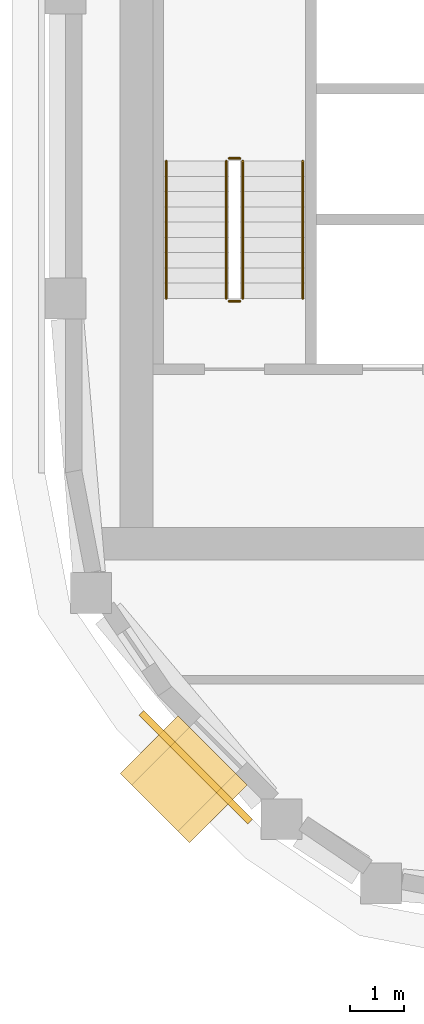
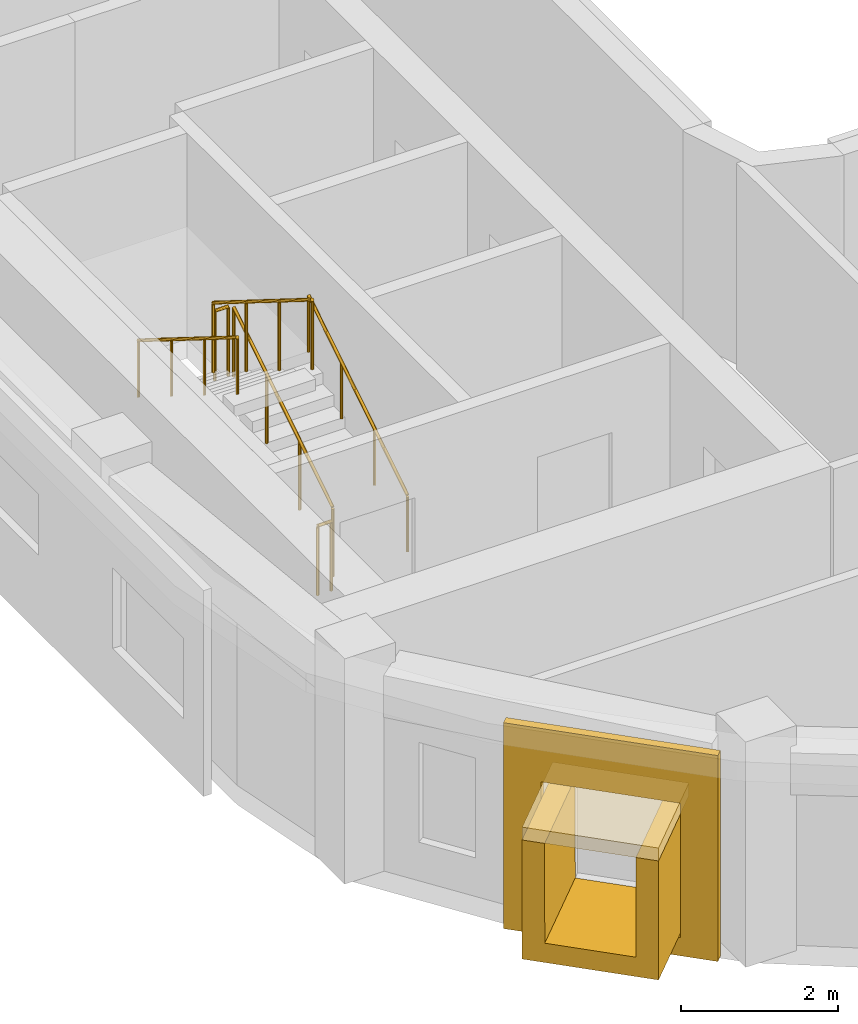
# One storey, part 10 of 16: 6 railings, 3 coverings.
"""IFC4 building model written with IfcOpenShell, lengths in metres."""

from ifc_helpers import new_model, si_unit, direction, frame, origin, origin_2d, place, context, subcontext, project, spatial, polyline, rectangle, circle, outline, extrude, material, layer, layer_set, type_object, element, save


model = new_model("IFC4")

# Units and contexts
model_context = context("Model", 3, precision=1e-05, world=origin(), true_north=direction((0.0, 1.0)))
body_context = subcontext(model_context, "Body", "Model", "MODEL_VIEW")
ifc_project = project(units=[si_unit("LENGTHUNIT", "METRE"), si_unit("AREAUNIT", "SQUARE_METRE"), si_unit("VOLUMEUNIT", "CUBIC_METRE"), si_unit("PLANEANGLEUNIT", "RADIAN"), si_unit("MASSUNIT", "GRAM", prefix="KILO")], contexts=[model_context])

# Site, building, storey
site_placement = place(None, origin())
site = spatial("IfcSite", under=ifc_project, at=site_placement, CompositionType="ELEMENT")
building_placement = place(site_placement, origin())
building = spatial("IfcBuilding", under=site, at=building_placement, Name="Kiln Ring Residences", CompositionType="ELEMENT")
storey_placement = place(building_placement, frame((0.0, 0.0, 273.199951171875)))
storey = spatial("IfcBuildingStorey", under=building, at=storey_placement, Name="L71", CompositionType="ELEMENT", Elevation=273.199951171875)

# Railings
ifc_material_1 = material(Name="Stainless steel", Category="steel")
railing_type_1 = type_object("IfcRailingType", Name="CORE-STAIR-GUARD", PredefinedType="GUARDRAIL", material=ifc_material_1)
railing_1_placement = place(storey_placement, frame((-21.949951171875, -8.39990234375, 0.175048828125)))
element("IfcRailing", 1, at=railing_1_placement, inside=storey, type_object=railing_type_1, Name="L71 W-STS stair guard 1", PredefinedType="GUARDRAIL", context=body_context, shape_type="SweptSolid", body=[
    extrude(circle(Radius=0.02392578125, at=origin_2d()), frame((0.0, 0.0, 1.076171875), z_axis=(0.0, 0.848007534815, 0.529984170421), x_axis=(-1.0, 0.0, 0.0)), (0.0, 0.0, 1.0), 2.9716796875),
    extrude(circle(Radius=0.02099609375, at=origin_2d()), origin(), (0.0, 0.0, 1.0), 1.052001953125),
    extrude(circle(Radius=0.02099609375, at=origin_2d()), frame((0.0, 0.840087890625, 0.52490234375)), (0.0, 0.0, 1.0), 1.052001953125),
    extrude(circle(Radius=0.02099609375, at=origin_2d()), frame((0.0, 1.679931640625, 1.050048828125)), (0.0, 0.0, 1.0), 1.052001953125),
    extrude(circle(Radius=0.02099609375, at=origin_2d()), frame((0.0, 2.52001953125, 1.574951171875)), (0.0, 0.0, 1.0), 1.052001953125),
])
railing_2_placement = place(storey_placement, frame((-22.0, -5.830078125, 1.75)))
element("IfcRailing", 2, at=railing_2_placement, inside=storey, type_object=railing_type_1, Name="L71 W-STS stair guard 2", PredefinedType="GUARDRAIL", context=body_context, shape_type="SweptSolid", body=[
    extrude(circle(Radius=0.02392578125, at=origin_2d()), frame((0.0, 0.0, 1.076171875), z_axis=(-1.0, 0.0, 0.0), x_axis=(0.0, -1.0, 0.0)), (0.0, 0.0, 1.0), 0.199951171875),
    extrude(circle(Radius=0.02099609375, at=origin_2d()), origin(), (0.0, 0.0, 1.0), 1.052001953125),
    extrude(circle(Radius=0.02099609375, at=origin_2d()), frame((-0.199951171875, 0.0, 0.0)), (0.0, 0.0, 1.0), 1.052001953125),
])
railing_3_placement = place(storey_placement, frame((-22.25, -5.8798828125, 1.925048828125)))
element("IfcRailing", 3, at=railing_3_placement, inside=storey, type_object=railing_type_1, Name="L71 W-STS stair guard 3", PredefinedType="GUARDRAIL", context=body_context, shape_type="SweptSolid", body=[
    extrude(circle(Radius=0.02392578125, at=origin_2d()), frame((0.0, 0.0, 1.076171875), z_axis=(0.0, -0.848007534815, 0.529984170421), x_axis=(1.0, 0.0, 0.0)), (0.0, 0.0, 1.0), 2.9716796875),
    extrude(circle(Radius=0.02099609375, at=origin_2d()), origin(), (0.0, 0.0, 1.0), 1.052001953125),
    extrude(circle(Radius=0.02099609375, at=origin_2d()), frame((0.0, -0.840087890625, 0.52490234375)), (0.0, 0.0, 1.0), 1.052001953125),
    extrude(circle(Radius=0.02099609375, at=origin_2d()), frame((0.0, -1.679931640625, 1.050048828125)), (0.0, 0.0, 1.0), 1.052001953125),
    extrude(circle(Radius=0.02099609375, at=origin_2d()), frame((0.0, -2.52001953125, 1.574951171875)), (0.0, 0.0, 1.0), 1.052001953125),
])
railing_4_placement = place(storey_placement, frame((-22.0, -8.449951171875, 0.0)))
element("IfcRailing", 4, at=railing_4_placement, inside=storey, type_object=railing_type_1, Name="L71 W-STS stair guard 4", PredefinedType="GUARDRAIL", context=body_context, shape_type="SweptSolid", body=[
    extrude(circle(Radius=0.02392578125, at=origin_2d()), frame((0.0, 0.0, 1.076171875), z_axis=(-1.0, 0.0, 0.0), x_axis=(0.0, -1.0, 0.0)), (0.0, 0.0, 1.0), 0.199951171875),
    extrude(circle(Radius=0.02099609375, at=origin_2d()), origin(), (0.0, 0.0, 1.0), 1.052001953125),
    extrude(circle(Radius=0.02099609375, at=origin_2d()), frame((-0.199951171875, 0.0, 0.0)), (0.0, 0.0, 1.0), 1.052001953125),
])
ifc_material_2 = material(Name="Stainless steel", Category="steel")
railing_type_2 = type_object("IfcRailingType", Name="CORE-STAIR-HANDRAIL", PredefinedType="HANDRAIL", material=ifc_material_2)
railing_5_placement = place(storey_placement, frame((-20.85009765625, -8.39990234375, 0.175048828125)))
element("IfcRailing", 5, at=railing_5_placement, inside=storey, type_object=railing_type_2, Name="L71 W-STS stair handrail 1", PredefinedType="HANDRAIL", context=body_context, shape_type="SweptSolid", body=[
    extrude(circle(Radius=0.02392578125, at=origin_2d()), frame((0.0, 0.0, 0.8759765625), z_axis=(0.0, 0.848007534815, 0.529984170421), x_axis=(-1.0, 0.0, 0.0)), (0.0, 0.0, 1.0), 2.9716796875),
    extrude(circle(Radius=0.02099609375, at=origin_2d()), origin(), (0.0, 0.0, 1.0), 0.851806640625),
    extrude(circle(Radius=0.02099609375, at=origin_2d()), frame((0.0, 0.840087890625, 0.52490234375)), (0.0, 0.0, 1.0), 0.851806640625),
    extrude(circle(Radius=0.02099609375, at=origin_2d()), frame((0.0, 1.679931640625, 1.050048828125)), (0.0, 0.0, 1.0), 0.851806640625),
    extrude(circle(Radius=0.02099609375, at=origin_2d()), frame((0.0, 2.52001953125, 1.574951171875)), (0.0, 0.0, 1.0), 0.851806640625),
])
railing_6_placement = place(storey_placement, frame((-23.35009765625, -5.8798828125, 1.925048828125)))
element("IfcRailing", 6, at=railing_6_placement, inside=storey, type_object=railing_type_2, Name="L71 W-STS stair handrail 2", PredefinedType="HANDRAIL", context=body_context, shape_type="SweptSolid", body=[
    extrude(circle(Radius=0.02392578125, at=origin_2d()), frame((0.0, 0.0, 0.8759765625), z_axis=(0.0, -0.848007534815, 0.529984170421), x_axis=(1.0, 0.0, 0.0)), (0.0, 0.0, 1.0), 2.9716796875),
    extrude(circle(Radius=0.02099609375, at=origin_2d()), origin(), (0.0, 0.0, 1.0), 0.851806640625),
    extrude(circle(Radius=0.02099609375, at=origin_2d()), frame((0.0, -0.840087890625, 0.52490234375)), (0.0, 0.0, 1.0), 0.851806640625),
    extrude(circle(Radius=0.02099609375, at=origin_2d()), frame((0.0, -1.679931640625, 1.050048828125)), (0.0, 0.0, 1.0), 0.851806640625),
    extrude(circle(Radius=0.02099609375, at=origin_2d()), frame((0.0, -2.52001953125, 1.574951171875)), (0.0, 0.0, 1.0), 0.851806640625),
])

# Coverings
ifc_material_3 = material(Name="Brick masonry, dark clay brick", Category="masonry")
ifc_layer_1 = layer(ifc_material_3, 0.300048828125)
ifc_layer_set_1 = layer_set([ifc_layer_1], Name="FRAME CHEEKS AND SILL 1500")
covering_type_1 = type_object("IfcCoveringType", Name="FRAME CHEEKS AND SILL 1500", PredefinedType="CLADDING", material=ifc_layer_set_1)
covering_1_placement = place(storey_placement, frame((-23.6708984375, -16.58984375, 0.300048828125), z_axis=(0.0, 0.0, 1.0), x_axis=(0.707106781187, -0.707106781187, 0.0)))
element("IfcCovering", 7, at=covering_1_placement, inside=storey, type_object=covering_type_1, Name="FRAME L71", PredefinedType="CLADDING", context=body_context, shape_type="SweptSolid", body=[
    extrude(outline(polyline([(0.0, 0.0), (1.7998046875, 0.0), (1.800048828125, 1.85009765625), (1.5009765625, 1.85009765625), (1.5, 0.300048828125), (0.300048828125, 0.300048828125), (0.299072265625, 1.85009765625), (0.0, 1.85009765625), (0.0, 0.0)])), frame((0.0, 0.75, 0.0), z_axis=(0.0, -1.0, 0.0), x_axis=(1.0, 0.0, 0.0)), (0.0, 0.0, 1.0), 1.5),
])
ifc_material_4 = material(Name="Brick masonry, dark clay brick", Category="masonry")
ifc_layer_2 = layer(ifc_material_4, 0.199951171875)
ifc_layer_set_2 = layer_set([ifc_layer_2], Name="FRAME HEAD 1500")
covering_type_2 = type_object("IfcCoveringType", Name="FRAME HEAD 1500", PredefinedType="CLADDING", material=ifc_layer_set_2)
covering_2_placement = place(storey_placement, frame((-23.034423828125, -17.22607421875, 2.14990234375), z_axis=(0.0, 0.0, 1.0), x_axis=(0.707106781187, -0.707106781187, 0.0)))
element("IfcCovering", 8, at=covering_2_placement, inside=storey, type_object=covering_type_2, Name="FRAME HEAD L71", PredefinedType="CLADDING", context=body_context, shape_type="SweptSolid", body=[
    extrude(rectangle(XDim=1.800048828125, YDim=1.5, at=origin_2d()), origin(), (0.0, 0.0, 1.0), 0.199951171875),
])
ifc_material_5 = material(Name="Brick masonry, dark clay brick", Category="masonry")
ifc_layer_3 = layer(ifc_material_5, 0.1201171875)
ifc_layer_set_3 = layer_set([ifc_layer_3], Name="RAINSCREEN PANEL 120")
covering_type_3 = type_object("IfcCoveringType", Name="RAINSCREEN PANEL 120", PredefinedType="CLADDING", material=ifc_layer_set_3)
covering_3_placement = place(storey_placement, frame((-23.810546875, -16.004638671875, 0.0), z_axis=(0.0, 0.0, 1.0), x_axis=(0.707106781187, -0.707106781187, 0.0)))
element("IfcCovering", 9, at=covering_3_placement, inside=storey, type_object=covering_type_3, Name="RAINSCREEN L71", PredefinedType="CLADDING", context=body_context, shape_type="SweptSolid", body=[
    extrude(outline(polyline([(0.0, 0.0), (2.824951171875, 0.0), (2.824951171875, 3.199951171875), (0.0, 3.199951171875), (0.0, 0.0)]), holes=[polyline([(0.492431640625, 2.3701171875), (0.492431640625, 0.280029296875), (2.33251953125, 0.280029296875), (2.33251953125, 2.3701171875), (0.492431640625, 2.3701171875)])]), frame((0.0, 0.06005859375, 0.0), z_axis=(0.0, -1.0, 0.0), x_axis=(1.0, 0.0, 0.0)), (0.0, 0.0, 1.0), 0.1201171875),
])

save(model, "model.ifc")
